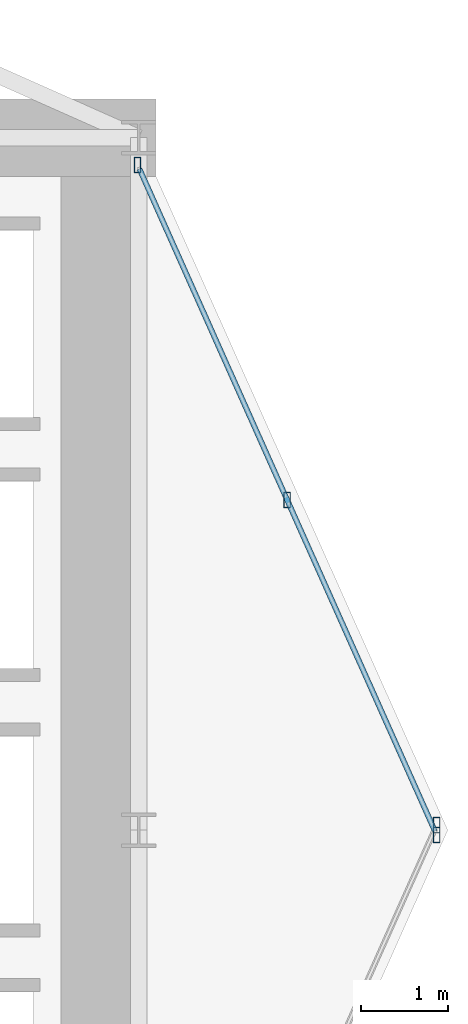
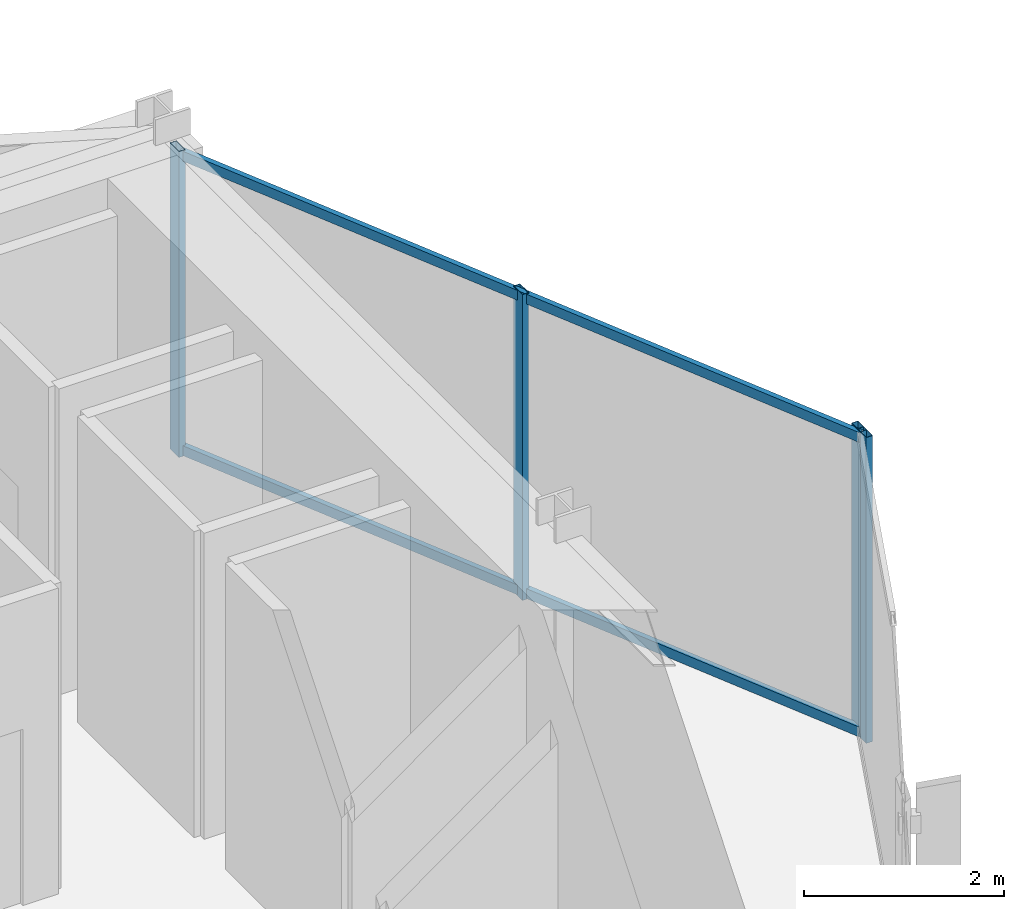
# One storey, part 16 of 25: 6 members, 2 elements without a shape of their own.
"""IFC4 building model written with IfcOpenShell, lengths in metres."""

from ifc_helpers import new_model, si_unit, direction, frame, origin, origin_2d, place, context, subcontext, project, spatial, hollow_rectangle, extrude, material, layer, layer_set, material_profile, profile_set, type_object, element, aggregate, save


model = new_model("IFC4")

# Units and contexts
model_context = context("Model", 3, precision=1e-05, world=origin(), true_north=direction((0.0, 1.0)))
body_context = subcontext(model_context, "Body", "Model", "MODEL_VIEW")
ifc_project = project(units=[si_unit("LENGTHUNIT", "METRE"), si_unit("AREAUNIT", "SQUARE_METRE"), si_unit("VOLUMEUNIT", "CUBIC_METRE"), si_unit("PLANEANGLEUNIT", "RADIAN"), si_unit("MASSUNIT", "GRAM", prefix="KILO")], contexts=[model_context])

# Site, building, storey
site_placement = place(None, origin())
site = spatial("IfcSite", under=ifc_project, at=site_placement, CompositionType="ELEMENT")
building_placement = place(site_placement, origin())
building = spatial("IfcBuilding", under=site, at=building_placement, Name="Veymaron Broadcast Tower", CompositionType="ELEMENT")
storey_placement = place(building_placement, frame((0.0, 0.0, 102.60009765625)))
storey = spatial("IfcBuildingStorey", under=building, at=storey_placement, Name="L23", CompositionType="ELEMENT", Elevation=102.60009765625)

# Curtain wall, member
ifc_material_1 = material(Name="Anodised aluminium AA 6063-T6 and laminated low-E dark glass", Category="aluminium")
ifc_layer = layer(ifc_material_1, 0.179931640625)
ifc_layer_set = layer_set([ifc_layer], Name="Anodised aluminium AA 6063-T6 and laminated low-E dark glass")
curtain_wall_type = type_object("IfcCurtainWallType", Name="CW-SYS-02", PredefinedType="NOTDEFINED", material=ifc_layer_set)
curtain_wall_1_placement = place(storey_placement, origin())
curtain_wall_1 = element("IfcCurtainWall", 1, at=curtain_wall_1_placement, inside=storey, type_object=curtain_wall_type, Name="L23 dark-glass curtain wall CW-L23-E2-1", PredefinedType="NOTDEFINED")
ifc_material_2 = material(Name="Anodised aluminium AA 6063-T6", Category="aluminium")
ifc_material_profile_1 = material_profile(ifc_material_2, hollow_rectangle(XDim=0.074951171875, YDim=0.179931640625, WallThickness=0.0048828125, at=origin_2d()), Name="AL180X75X5")
ifc_profile_set_1 = profile_set([ifc_material_profile_1], Name="Anodised aluminium AA 6063-T6")
member_type_1 = type_object("IfcMemberType", Name="CW-MUL-02", PredefinedType="MULLION", material=ifc_profile_set_1)
member_1_placement = place(storey_placement, frame((58.042236328125, 24.05712890625, 0.0), z_axis=(0.0, 0.0, 1.0), x_axis=(1.0, 0.0, 0.0)))
member_1 = element("IfcMember", 2, at=member_1_placement, type_object=member_type_1, Name="CW-L23-E2-1 mullion 2", PredefinedType="MULLION", context=body_context, shape_type="SweptSolid", body=[
    extrude(hollow_rectangle(XDim=0.074951171875, YDim=0.179931640625, WallThickness=0.0048828125, at=origin_2d()), origin(), (0.0, 0.0, 1.0), 3.72998046875),
])
aggregate(curtain_wall_1, [member_1])

# Curtain wall, members
curtain_wall_2_placement = place(storey_placement, origin())
curtain_wall_2 = element("IfcCurtainWall", 3, at=curtain_wall_2_placement, inside=storey, type_object=curtain_wall_type, Name="L23 dark-glass curtain wall CW-L23-E3-1", PredefinedType="NOTDEFINED")
member_2_placement = place(storey_placement, frame((58.042236328125, 23.94287109375, 0.0), z_axis=(0.0, 0.0, 1.0), x_axis=(1.0, 0.0, 0.0)))
member_2 = element("IfcMember", 4, at=member_2_placement, type_object=member_type_1, Name="CW-L23-E3-1 mullion 0", PredefinedType="MULLION", context=body_context, shape_type="SweptSolid", body=[
    extrude(hollow_rectangle(XDim=0.074951171875, YDim=0.179931640625, WallThickness=0.0048828125, at=origin_2d()), origin(), (0.0, 0.0, 1.0), 3.72998046875),
])
member_3_placement = place(storey_placement, frame((56.314697265625, 27.814208984375, 0.0), z_axis=(0.0, 0.0, 1.0), x_axis=(1.0, 0.0, 0.0)))
member_3 = element("IfcMember", 5, at=member_3_placement, type_object=member_type_1, Name="CW-L23-E3-1 mullion 1", PredefinedType="MULLION", context=body_context, shape_type="SweptSolid", body=[
    extrude(hollow_rectangle(XDim=0.074951171875, YDim=0.179931640625, WallThickness=0.0048828125, at=origin_2d()), origin(), (0.0, 0.0, 1.0), 3.72998046875),
])
member_4_placement = place(storey_placement, frame((54.5869140625, 31.685546875, 0.0), z_axis=(0.0, 0.0, 1.0), x_axis=(1.0, 0.0, 0.0)))
member_4 = element("IfcMember", 6, at=member_4_placement, type_object=member_type_1, Name="CW-L23-E3-1 mullion 2", PredefinedType="MULLION", context=body_context, shape_type="SweptSolid", body=[
    extrude(hollow_rectangle(XDim=0.074951171875, YDim=0.179931640625, WallThickness=0.0048828125, at=origin_2d()), origin(), (0.0, 0.0, 1.0), 3.72998046875),
])
ifc_material_profile_2 = material_profile(ifc_material_2, hollow_rectangle(XDim=0.06005859375, YDim=0.1201171875, WallThickness=0.00390625, at=origin_2d()), Name="AL120X60X4")
ifc_profile_set_2 = profile_set([ifc_material_profile_2], Name="Anodised aluminium AA 6063-T6")
member_type_2 = type_object("IfcMemberType", Name="CW-TRN-02", PredefinedType="USERDEFINED", material=ifc_profile_set_2)
member_5_placement = place(storey_placement, frame((58.021728515625, 23.988525390625, 0.06982421875), z_axis=(-0.407503321376, 0.913203724843, 0.0), x_axis=(-0.913203724843, -0.407503321376, 0.0)))
member_5 = element("IfcMember", 7, at=member_5_placement, type_object=member_type_2, Name="CW-L23-E3-1 transom B", ObjectType="TRANSOM", PredefinedType="USERDEFINED", context=body_context, shape_type="SweptSolid", body=[
    extrude(hollow_rectangle(XDim=0.06005859375, YDim=0.1201171875, WallThickness=0.00390625, at=origin_2d()), origin(), (0.0, 0.0, 1.0), 8.378662109375),
])
member_6_placement = place(storey_placement, frame((58.021728515625, 23.988525390625, 3.659912109375), z_axis=(-0.407503321376, 0.913203724843, 0.0), x_axis=(-0.913203724843, -0.407503321376, 0.0)))
member_6 = element("IfcMember", 8, at=member_6_placement, type_object=member_type_2, Name="CW-L23-E3-1 transom T", ObjectType="TRANSOM", PredefinedType="USERDEFINED", context=body_context, shape_type="SweptSolid", body=[
    extrude(hollow_rectangle(XDim=0.06005859375, YDim=0.1201171875, WallThickness=0.00390625, at=origin_2d()), origin(), (0.0, 0.0, 1.0), 8.378662109375),
])
aggregate(curtain_wall_2, [member_2, member_3, member_4, member_5, member_6])

save(model, "model.ifc")
